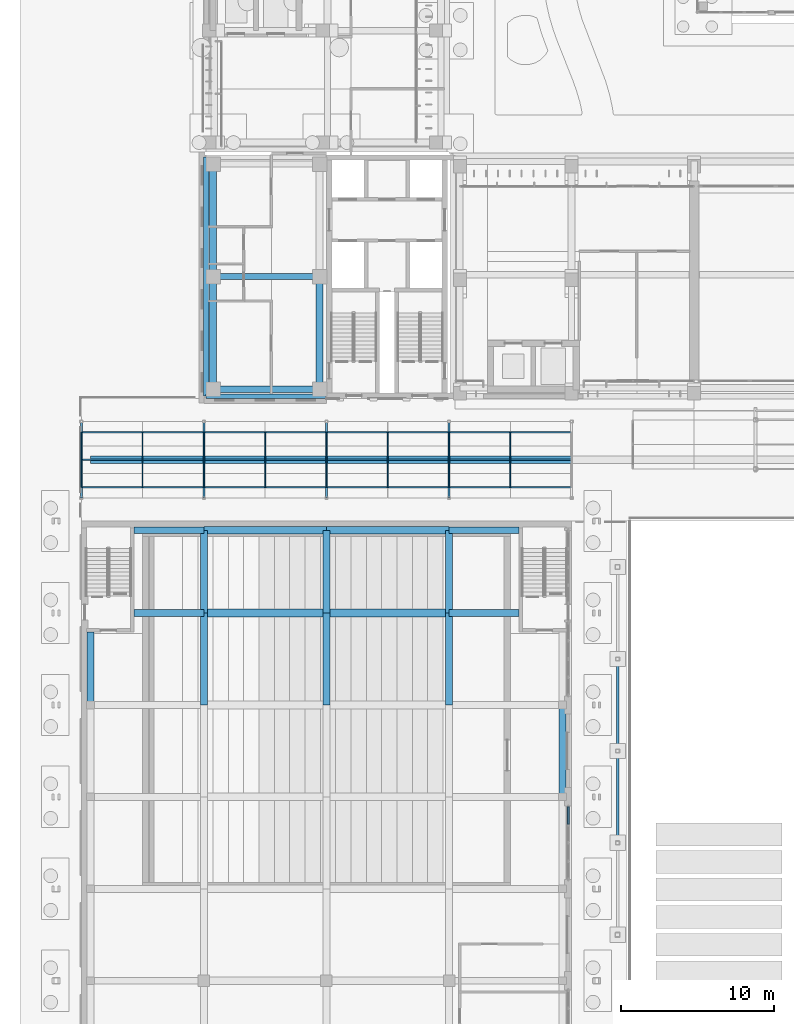
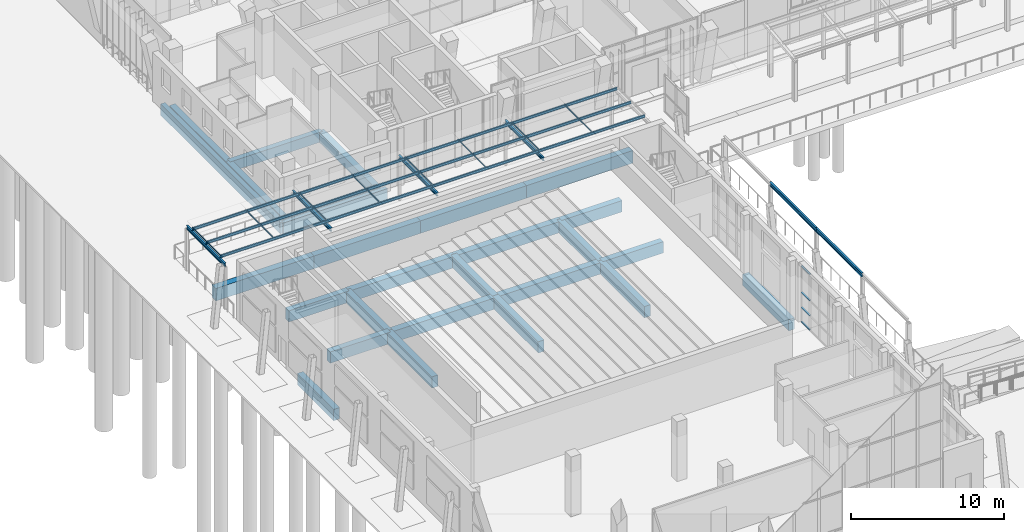
# One storey, part 29 of 144: 33 beams, 32 members, 1 element without a shape of its own.
"""IFC4 building model written with IfcOpenShell, lengths in metres."""

from ifc_helpers import new_model, si_unit, direction, frame, origin, origin_2d, place, context, subcontext, project, spatial, rectangle, i_section, extrude, material, layer, layer_set, material_profile, profile_set, type_object, element, aggregate, save


model = new_model("IFC4")

# Units and contexts
model_context = context("Model", 3, precision=1e-05, world=origin(), true_north=direction((0.0, 1.0)))
body_context = subcontext(model_context, "Body", "Model", "MODEL_VIEW")
ifc_project = project(units=[si_unit("LENGTHUNIT", "METRE"), si_unit("AREAUNIT", "SQUARE_METRE"), si_unit("VOLUMEUNIT", "CUBIC_METRE"), si_unit("PLANEANGLEUNIT", "RADIAN"), si_unit("MASSUNIT", "GRAM", prefix="KILO")], contexts=[model_context])

# Site, building, storey
site_placement = place(None, origin())
site = spatial("IfcSite", under=ifc_project, at=site_placement, CompositionType="ELEMENT")
building_placement = place(site_placement, origin())
building = spatial("IfcBuilding", under=site, at=building_placement, Name="Lantern Court Media Centre", CompositionType="ELEMENT")
storey_placement = place(building_placement, origin())
storey = spatial("IfcBuildingStorey", under=building, at=storey_placement, Name="L00", CompositionType="ELEMENT", Elevation=0.0)

# Beams
ifc_material_1 = material(Name="Steel S355J2 (EN 10025-2)", Category="steel")
ifc_material_profile_1 = material_profile(ifc_material_1, i_section(OverallWidth=0.135009765625, OverallDepth=0.27001953125, WebThickness=0.006591796875, FlangeThickness=0.01025390625, FilletRadius=0.014892578125, at=origin_2d()), Name="IPE 270")
ifc_profile_set_1 = profile_set([ifc_material_profile_1], Name="Steel S355J2 (EN 10025-2)")
beam_type_1 = type_object("IfcBeamType", Name="Cloister canopy portal beam IPE 270", PredefinedType="BEAM", material=ifc_profile_set_1)
for number, where, z_axis, x_axis, name in (
    (1, (0.0, 41.5, 3.465087890625), (0.0, 1.0, 0.0), (-1.0, 0.0, 0.0), "Cloister portal beam 1-1"),
    (2, (8.0, 41.5, 3.465087890625), (0.0, 1.0, 0.0), (-1.0, 0.0, 0.0), "Cloister portal beam 1-2"),
    (3, (16.0, 41.5, 3.465087890625), (0.0, 1.0, 0.0), (-1.0, 0.0, 0.0), "Cloister portal beam 1-3"),
    (4, (24.0, 41.5, 3.465087890625), (0.0, 1.0, 0.0), (-1.0, 0.0, 0.0), "Cloister portal beam 1-4"),
):
    element("IfcBeam", number, at=place(storey_placement, frame(where, z_axis=z_axis, x_axis=x_axis)), inside=storey, type_object=beam_type_1, Name=name, PredefinedType="BEAM", context=body_context, shape_type="SweptSolid", body=[
        extrude(i_section(OverallWidth=0.135009765625, OverallDepth=0.27001953125, WebThickness=0.006591796875, FlangeThickness=0.01025390625, FilletRadius=0.014892578125, at=origin_2d()), origin(), (0.0, 0.0, 1.0), 5.0),
    ])

# Members
ifc_material_profile_2 = material_profile(ifc_material_1, i_section(OverallWidth=0.10009765625, OverallDepth=0.199951171875, WebThickness=0.005615234375, FlangeThickness=0.008544921875, FilletRadius=0.011962890625, at=origin_2d()), Name="IPE 200")
ifc_profile_set_2 = profile_set([ifc_material_profile_2], Name="Steel S355J2 (EN 10025-2)")
member_type_1 = type_object("IfcMemberType", Name="Cloister canopy purlin IPE 200", PredefinedType="PURLIN", material=ifc_profile_set_2)
for number, where, z_axis, x_axis, name in (
    (5, (0.0, 42.199951171875, 3.699951171875), (1.0, 0.0, 0.0), (0.0, 1.0, 0.0), "Cloister purlin 1-1-1"),
    (6, (8.0, 42.199951171875, 3.699951171875), (1.0, 0.0, 0.0), (0.0, 1.0, 0.0), "Cloister purlin 1-1-2"),
    (7, (16.0, 42.199951171875, 3.699951171875), (1.0, 0.0, 0.0), (0.0, 1.0, 0.0), "Cloister purlin 1-1-3"),
    (8, (24.0, 42.199951171875, 3.699951171875), (1.0, 0.0, 0.0), (0.0, 1.0, 0.0), "Cloister purlin 1-1-4"),
    (9, (0.0, 44.0, 3.699951171875), (1.0, 0.0, 0.0), (0.0, 1.0, 0.0), "Cloister purlin 1-2-1"),
    (10, (8.0, 44.0, 3.699951171875), (1.0, 0.0, 0.0), (0.0, 1.0, 0.0), "Cloister purlin 1-2-2"),
    (11, (16.0, 44.0, 3.699951171875), (1.0, 0.0, 0.0), (0.0, 1.0, 0.0), "Cloister purlin 1-2-3"),
    (12, (24.0, 44.0, 3.699951171875), (1.0, 0.0, 0.0), (0.0, 1.0, 0.0), "Cloister purlin 1-2-4"),
    (13, (0.0, 45.800048828125, 3.699951171875), (1.0, 0.0, 0.0), (0.0, 1.0, 0.0), "Cloister purlin 1-3-1"),
    (14, (8.0, 45.800048828125, 3.699951171875), (1.0, 0.0, 0.0), (0.0, 1.0, 0.0), "Cloister purlin 1-3-2"),
    (15, (16.0, 45.800048828125, 3.699951171875), (1.0, 0.0, 0.0), (0.0, 1.0, 0.0), "Cloister purlin 1-3-3"),
    (16, (24.0, 45.800048828125, 3.699951171875), (1.0, 0.0, 0.0), (0.0, 1.0, 0.0), "Cloister purlin 1-3-4"),
):
    element("IfcMember", number, at=place(storey_placement, frame(where, z_axis=z_axis, x_axis=x_axis)), inside=storey, type_object=member_type_1, Name=name, PredefinedType="PURLIN", context=body_context, shape_type="SweptSolid", body=[
        extrude(i_section(OverallWidth=0.10009765625, OverallDepth=0.199951171875, WebThickness=0.005615234375, FlangeThickness=0.008544921875, FilletRadius=0.011962890625, at=origin_2d()), origin(), (0.0, 0.0, 1.0), 8.0),
    ])
ifc_material_profile_3 = material_profile(ifc_material_1, i_section(OverallWidth=0.0458984375, OverallDepth=0.080078125, WebThickness=0.00390625, FlangeThickness=0.005126953125, FilletRadius=0.0048828125, at=origin_2d()), Name="IPE 80")
ifc_profile_set_3 = profile_set([ifc_material_profile_3], Name="Steel S355J2 (EN 10025-2)")
member_type_2 = type_object("IfcMemberType", Name="Cloister sheeting rail IPE 80", PredefinedType="STRUT", material=ifc_profile_set_3)
for number, where, z_axis, x_axis, name in (
    (17, (0.0, 42.199951171875, 3.840087890625), (0.0, 1.0, 0.0), (-1.0, 0.0, 0.0), "Cloister sheeting rail 1-1-1"),
    (18, (0.0, 44.0, 3.840087890625), (0.0, 1.0, 0.0), (-1.0, 0.0, 0.0), "Cloister sheeting rail 1-1-2"),
    (19, (4.0, 42.199951171875, 3.840087890625), (0.0, 1.0, 0.0), (-1.0, 0.0, 0.0), "Cloister sheeting rail 1-2-1"),
    (20, (4.0, 44.0, 3.840087890625), (0.0, 1.0, 0.0), (-1.0, 0.0, 0.0), "Cloister sheeting rail 1-2-2"),
    (21, (8.0, 42.199951171875, 3.840087890625), (0.0, 1.0, 0.0), (-1.0, 0.0, 0.0), "Cloister sheeting rail 1-3-1"),
    (22, (8.0, 44.0, 3.840087890625), (0.0, 1.0, 0.0), (-1.0, 0.0, 0.0), "Cloister sheeting rail 1-3-2"),
    (23, (12.0, 42.199951171875, 3.840087890625), (0.0, 1.0, 0.0), (-1.0, 0.0, 0.0), "Cloister sheeting rail 1-4-1"),
    (24, (12.0, 44.0, 3.840087890625), (0.0, 1.0, 0.0), (-1.0, 0.0, 0.0), "Cloister sheeting rail 1-4-2"),
    (25, (16.0, 42.199951171875, 3.840087890625), (0.0, 1.0, 0.0), (-1.0, 0.0, 0.0), "Cloister sheeting rail 1-5-1"),
    (26, (16.0, 44.0, 3.840087890625), (0.0, 1.0, 0.0), (-1.0, 0.0, 0.0), "Cloister sheeting rail 1-5-2"),
    (27, (20.0, 42.199951171875, 3.840087890625), (0.0, 1.0, 0.0), (-1.0, 0.0, 0.0), "Cloister sheeting rail 1-6-1"),
    (28, (20.0, 44.0, 3.840087890625), (0.0, 1.0, 0.0), (-1.0, 0.0, 0.0), "Cloister sheeting rail 1-6-2"),
    (29, (24.0, 42.199951171875, 3.840087890625), (0.0, 1.0, 0.0), (-1.0, 0.0, 0.0), "Cloister sheeting rail 1-7-1"),
    (30, (24.0, 44.0, 3.840087890625), (0.0, 1.0, 0.0), (-1.0, 0.0, 0.0), "Cloister sheeting rail 1-7-2"),
    (31, (28.0, 42.199951171875, 3.840087890625), (0.0, 1.0, 0.0), (-1.0, 0.0, 0.0), "Cloister sheeting rail 1-8-1"),
    (32, (28.0, 44.0, 3.840087890625), (0.0, 1.0, 0.0), (-1.0, 0.0, 0.0), "Cloister sheeting rail 1-8-2"),
):
    element("IfcMember", number, at=place(storey_placement, frame(where, z_axis=z_axis, x_axis=x_axis)), inside=storey, type_object=member_type_2, Name=name, PredefinedType="STRUT", context=body_context, shape_type="SweptSolid", body=[
        extrude(i_section(OverallWidth=0.0458984375, OverallDepth=0.080078125, WebThickness=0.00390625, FlangeThickness=0.005126953125, FilletRadius=0.0048828125, at=origin_2d()), origin(), (0.0, 0.0, 1.0), 1.800048828125),
    ])

# Beams
ifc_material_profile_4 = material_profile(ifc_material_1, i_section(OverallWidth=0.14990234375, OverallDepth=0.300048828125, WebThickness=0.007080078125, FlangeThickness=0.0107421875, FilletRadius=0.014892578125, at=origin_2d()), Name="IPE 300")
ifc_profile_set_4 = profile_set([ifc_material_profile_4], Name="Steel S355J2 (EN 10025-2)")
beam_type_2 = type_object("IfcBeamType", Name="Forecourt colonnade beam IPE 300", PredefinedType="BEAM", material=ifc_profile_set_4)
for number, where, z_axis, x_axis, name in (
    (33, (35.0, 19.0, 4.050048828125), (0.0, 1.0, 0.0), (-1.0, 0.0, 0.0), "Forecourt colonnade beam V1 2"),
    (34, (35.0, 25.0, 4.050048828125), (0.0, 1.0, 0.0), (-1.0, 0.0, 0.0), "Forecourt colonnade beam V1 3"),
):
    element("IfcBeam", number, at=place(storey_placement, frame(where, z_axis=z_axis, x_axis=x_axis)), inside=storey, type_object=beam_type_2, Name=name, PredefinedType="BEAM", context=body_context, shape_type="SweptSolid", body=[
        extrude(i_section(OverallWidth=0.14990234375, OverallDepth=0.300048828125, WebThickness=0.007080078125, FlangeThickness=0.0107421875, FilletRadius=0.014892578125, at=origin_2d()), origin(), (0.0, 0.0, 1.0), 6.0),
    ])

# Curtain wall, members
ifc_material_2 = material(Name="Aluminium and glass", Category="aluminium")
ifc_layer = layer(ifc_material_2, 0.14990234375)
ifc_layer_set = layer_set([ifc_layer], Name="Aluminium and glass")
curtain_wall_type = type_object("IfcCurtainWallType", Name="Hall lancet glazing", PredefinedType="NOTDEFINED", material=ifc_layer_set)
curtain_wall_placement = place(storey_placement, origin())
curtain_wall = element("IfcCurtainWall", 35, at=curtain_wall_placement, inside=storey, type_object=curtain_wall_type, Name="Cinema Hall foyer glazing 4", PredefinedType="NOTDEFINED")
ifc_material_3 = material(Name="Aluminium, anodised", Category="aluminium")
ifc_material_profile_5 = material_profile(ifc_material_3, rectangle(XDim=0.1201171875, YDim=0.06005859375, at=origin_2d()), Name="HT")
ifc_profile_set_5 = profile_set([ifc_material_profile_5], Name="Aluminium, anodised")
member_type_3 = type_object("IfcMemberType", Name="HT", PredefinedType="USERDEFINED", material=ifc_profile_set_5)
member_1_placement = place(storey_placement, frame((31.77490234375, 20.22998046875, 0.06005859375), z_axis=(0.0, 1.0, 0.0), x_axis=(-1.0, 0.0, 0.0)))
member_1 = element("IfcMember", 36, at=member_1_placement, type_object=member_type_3, Name="HCW-V14 transom 4.1", ObjectType="TRANSOM", PredefinedType="USERDEFINED", context=body_context, shape_type="SweptSolid", body=[
    extrude(rectangle(XDim=0.1201171875, YDim=0.06005859375, at=origin_2d()), origin(), (0.0, 0.0, 1.0), 1.110107421875),
])
member_2_placement = place(storey_placement, frame((31.77490234375, 20.22998046875, 1.199951171875), z_axis=(0.0, 1.0, 0.0), x_axis=(-1.0, 0.0, 0.0)))
member_2 = element("IfcMember", 37, at=member_2_placement, type_object=member_type_3, Name="HCW-V14 transom 4.2", ObjectType="TRANSOM", PredefinedType="USERDEFINED", context=body_context, shape_type="SweptSolid", body=[
    extrude(rectangle(XDim=0.1201171875, YDim=0.06005859375, at=origin_2d()), origin(), (0.0, 0.0, 1.0), 1.110107421875),
])
member_3_placement = place(storey_placement, frame((31.77490234375, 20.22998046875, 2.39990234375), z_axis=(0.0, 1.0, 0.0), x_axis=(-1.0, 0.0, 0.0)))
member_3 = element("IfcMember", 38, at=member_3_placement, type_object=member_type_3, Name="HCW-V14 transom 4.3", ObjectType="TRANSOM", PredefinedType="USERDEFINED", context=body_context, shape_type="SweptSolid", body=[
    extrude(rectangle(XDim=0.1201171875, YDim=0.06005859375, at=origin_2d()), origin(), (0.0, 0.0, 1.0), 1.110107421875),
])
member_4_placement = place(storey_placement, frame((31.77490234375, 20.22998046875, 4.489990234375), z_axis=(0.0, 1.0, 0.0), x_axis=(-1.0, 0.0, 0.0)))
member_4 = element("IfcMember", 39, at=member_4_placement, type_object=member_type_3, Name="HCW-V14 transom 4.4", ObjectType="TRANSOM", PredefinedType="USERDEFINED", context=body_context, shape_type="SweptSolid", body=[
    extrude(rectangle(XDim=0.1201171875, YDim=0.06005859375, at=origin_2d()), origin(), (0.0, 0.0, 1.0), 1.110107421875),
])
aggregate(curtain_wall, [member_1, member_2, member_3, member_4])

# Beams
ifc_material_4 = material(Name="Concrete C35", Category="concrete")
ifc_material_profile_6 = material_profile(ifc_material_4, rectangle(XDim=0.300048828125, YDim=0.89990234375, at=origin_2d()), Name="RC 300x900")
ifc_profile_set_6 = profile_set([ifc_material_profile_6], Name="Concrete C35")
beam_type_3 = type_object("IfcBeamType", Name="RC BEAM 300x900", PredefinedType="BEAM", material=ifc_profile_set_6)
beam_1_placement = place(storey_placement, frame((8.14990234375, 48.14990234375, -0.449951171875), z_axis=(1.0, 0.0, 0.0), x_axis=(0.0, 1.0, 0.0)))
element("IfcBeam", 40, at=beam_1_placement, inside=storey, type_object=beam_type_3, Name="EB-SW-L00-S", PredefinedType="BEAM", context=body_context, shape_type="SweptSolid", body=[
    extrude(rectangle(XDim=0.300048828125, YDim=0.89990234375, at=origin_2d()), origin(), (0.0, 0.0, 1.0), 7.830078125),
])
ifc_material_profile_7 = material_profile(ifc_material_4, rectangle(XDim=0.35009765625, YDim=0.89990234375, at=origin_2d()), Name="RC 350x900")
ifc_profile_set_7 = profile_set([ifc_material_profile_7], Name="Concrete C35")
beam_type_4 = type_object("IfcBeamType", Name="RC BEAM 350x900", PredefinedType="BEAM", material=ifc_profile_set_7)
beam_2_placement = place(storey_placement, frame((8.14990234375, 48.14990234375, -0.449951171875), z_axis=(0.0, 1.0, 0.0), x_axis=(-1.0, 0.0, 0.0)))
element("IfcBeam", 41, at=beam_2_placement, inside=storey, type_object=beam_type_4, Name="EB-SW-L00-W", PredefinedType="BEAM", context=body_context, shape_type="SweptSolid", body=[
    extrude(rectangle(XDim=0.35009765625, YDim=0.89990234375, at=origin_2d()), origin(), (0.0, 0.0, 1.0), 15.60009765625),
])
ifc_material_profile_8 = material_profile(ifc_material_4, rectangle(XDim=0.39990234375, YDim=0.800048828125, at=origin_2d()), Name="RC 400x800")
ifc_profile_set_8 = profile_set([ifc_material_profile_8], Name="Concrete C35")
beam_type_5 = type_object("IfcBeamType", Name="RC BEAM 400x800", PredefinedType="BEAM", material=ifc_profile_set_8)
for number, where, z_axis, x_axis, name in (
    (42, (8.60009765625, 48.60009765625, -0.39990234375), (1.0, 0.0, 0.0), (0.0, 1.0, 0.0), "BB-SW-L00-Y0-48"),
    (43, (8.60009765625, 55.949951171875, -0.39990234375), (1.0, 0.0, 0.0), (0.0, 1.0, 0.0), "BB-SW-L00-Y0-55"),
):
    element("IfcBeam", number, at=place(storey_placement, frame(where, z_axis=z_axis, x_axis=x_axis)), inside=storey, type_object=beam_type_5, Name=name, PredefinedType="BEAM", context=body_context, shape_type="SweptSolid", body=[
        extrude(rectangle(XDim=0.39990234375, YDim=0.800048828125, at=origin_2d()), origin(), (0.0, 0.0, 1.0), 6.949951171875),
    ])
ifc_material_profile_9 = material_profile(ifc_material_4, rectangle(XDim=0.449951171875, YDim=0.800048828125, at=origin_2d()), Name="RC 450x800")
ifc_profile_set_9 = profile_set([ifc_material_profile_9], Name="Concrete C35")
beam_type_6 = type_object("IfcBeamType", Name="RC BEAM 450x800", PredefinedType="BEAM", material=ifc_profile_set_9)
beam_3_placement = place(storey_placement, frame((8.60009765625, 48.60009765625, -0.39990234375), z_axis=(0.0, 1.0, 0.0), x_axis=(-1.0, 0.0, 0.0)))
element("IfcBeam", 44, at=beam_3_placement, inside=storey, type_object=beam_type_6, Name="BB-SW-L00-X0-8", PredefinedType="BEAM", context=body_context, shape_type="SweptSolid", body=[
    extrude(rectangle(XDim=0.449951171875, YDim=0.800048828125, at=origin_2d()), origin(), (0.0, 0.0, 1.0), 7.349853515625),
])
beam_4_placement = place(storey_placement, frame((8.60009765625, 55.949951171875, -0.39990234375), z_axis=(0.0, 1.0, 0.0), x_axis=(-1.0, 0.0, 0.0)))
element("IfcBeam", 45, at=beam_4_placement, inside=storey, type_object=beam_type_6, Name="BB-SW-L00-X1-8", PredefinedType="BEAM", context=body_context, shape_type="SweptSolid", body=[
    extrude(rectangle(XDim=0.449951171875, YDim=0.800048828125, at=origin_2d()), origin(), (0.0, 0.0, 1.0), 7.35009765625),
])
beam_5_placement = place(storey_placement, frame((15.550048828125, 48.60009765625, -0.39990234375), z_axis=(0.0, 1.0, 0.0), x_axis=(-1.0, 0.0, 0.0)))
element("IfcBeam", 46, at=beam_5_placement, inside=storey, type_object=beam_type_6, Name="BB-SW-L00-X0-15", PredefinedType="BEAM", context=body_context, shape_type="SweptSolid", body=[
    extrude(rectangle(XDim=0.449951171875, YDim=0.800048828125, at=origin_2d()), origin(), (0.0, 0.0, 1.0), 7.349853515625),
])
ifc_material_profile_10 = material_profile(ifc_material_4, rectangle(XDim=0.449951171875, YDim=0.89990234375, at=origin_2d()), Name="RC 450x900")
ifc_profile_set_10 = profile_set([ifc_material_profile_10], Name="Concrete C35")
beam_type_7 = type_object("IfcBeamType", Name="RC BEAM 450x900", PredefinedType="BEAM", material=ifc_profile_set_10)
for number, where, z_axis, x_axis, name in (
    (47, (3.449951171875, 34.0, -0.449951171875), (1.0, 0.0, 0.0), (0.0, 1.0, 0.0), "HB-V1-L00-PX6-0"),
    (48, (24.0, 34.0, -0.449951171875), (1.0, 0.0, 0.0), (0.0, 1.0, 0.0), "HB-V1-L00-PX6-3"),
    (49, (3.449951171875, 39.39990234375, -0.449951171875), (1.0, 0.0, 0.0), (0.0, 1.0, 0.0), "HB-V1-L00-PX7-0"),
    (50, (24.0, 39.39990234375, -0.449951171875), (1.0, 0.0, 0.0), (0.0, 1.0, 0.0), "HB-V1-L00-PX7-3"),
):
    element("IfcBeam", number, at=place(storey_placement, frame(where, z_axis=z_axis, x_axis=x_axis)), inside=storey, type_object=beam_type_7, Name=name, PredefinedType="BEAM", context=body_context, shape_type="SweptSolid", body=[
        extrude(rectangle(XDim=0.449951171875, YDim=0.89990234375, at=origin_2d()), origin(), (0.0, 0.0, 1.0), 4.550048828125),
    ])
beam_6_placement = place(storey_placement, frame((0.60009765625, 28.0, -0.449951171875), z_axis=(0.0, 1.0, 0.0), x_axis=(-1.0, 0.0, 0.0)))
element("IfcBeam", 51, at=beam_6_placement, inside=storey, type_object=beam_type_7, Name="HB-V1-L00-PY0-5", PredefinedType="BEAM", context=body_context, shape_type="SweptSolid", body=[
    extrude(rectangle(XDim=0.449951171875, YDim=0.89990234375, at=origin_2d()), origin(), (0.0, 0.0, 1.0), 4.75),
])
beam_7_placement = place(storey_placement, frame((8.0, 28.0, -0.449951171875), z_axis=(0.0, 1.0, 0.0), x_axis=(-1.0, 0.0, 0.0)))
element("IfcBeam", 52, at=beam_7_placement, inside=storey, type_object=beam_type_7, Name="HB-V1-L00-PY1-5", PredefinedType="BEAM", context=body_context, shape_type="SweptSolid", body=[
    extrude(rectangle(XDim=0.449951171875, YDim=0.89990234375, at=origin_2d()), origin(), (0.0, 0.0, 1.0), 6.0),
])
beam_8_placement = place(storey_placement, frame((8.0, 34.0, -0.449951171875), z_axis=(0.0, 1.0, 0.0), x_axis=(-1.0, 0.0, 0.0)))
element("IfcBeam", 53, at=beam_8_placement, inside=storey, type_object=beam_type_7, Name="HB-V1-L00-PY1-6", PredefinedType="BEAM", context=body_context, shape_type="SweptSolid", body=[
    extrude(rectangle(XDim=0.449951171875, YDim=0.89990234375, at=origin_2d()), origin(), (0.0, 0.0, 1.0), 5.39990234375),
])
beam_9_placement = place(storey_placement, frame((16.0, 28.0, -0.449951171875), z_axis=(0.0, 1.0, 0.0), x_axis=(-1.0, 0.0, 0.0)))
element("IfcBeam", 54, at=beam_9_placement, inside=storey, type_object=beam_type_7, Name="HB-V1-L00-PY2-5", PredefinedType="BEAM", context=body_context, shape_type="SweptSolid", body=[
    extrude(rectangle(XDim=0.449951171875, YDim=0.89990234375, at=origin_2d()), origin(), (0.0, 0.0, 1.0), 6.0),
])
beam_10_placement = place(storey_placement, frame((16.0, 34.0, -0.449951171875), z_axis=(0.0, 1.0, 0.0), x_axis=(-1.0, 0.0, 0.0)))
element("IfcBeam", 55, at=beam_10_placement, inside=storey, type_object=beam_type_7, Name="HB-V1-L00-PY2-6", PredefinedType="BEAM", context=body_context, shape_type="SweptSolid", body=[
    extrude(rectangle(XDim=0.449951171875, YDim=0.89990234375, at=origin_2d()), origin(), (0.0, 0.0, 1.0), 5.39990234375),
])
beam_11_placement = place(storey_placement, frame((24.0, 28.0, -0.449951171875), z_axis=(0.0, 1.0, 0.0), x_axis=(-1.0, 0.0, 0.0)))
element("IfcBeam", 56, at=beam_11_placement, inside=storey, type_object=beam_type_7, Name="HB-V1-L00-PY3-5", PredefinedType="BEAM", context=body_context, shape_type="SweptSolid", body=[
    extrude(rectangle(XDim=0.449951171875, YDim=0.89990234375, at=origin_2d()), origin(), (0.0, 0.0, 1.0), 6.0),
])
beam_12_placement = place(storey_placement, frame((24.0, 34.0, -0.449951171875), z_axis=(0.0, 1.0, 0.0), x_axis=(-1.0, 0.0, 0.0)))
element("IfcBeam", 57, at=beam_12_placement, inside=storey, type_object=beam_type_7, Name="HB-V1-L00-PY3-6", PredefinedType="BEAM", context=body_context, shape_type="SweptSolid", body=[
    extrude(rectangle(XDim=0.449951171875, YDim=0.89990234375, at=origin_2d()), origin(), (0.0, 0.0, 1.0), 5.39990234375),
])
beam_13_placement = place(storey_placement, frame((31.39990234375, 22.0, -0.449951171875), z_axis=(0.0, 1.0, 0.0), x_axis=(-1.0, 0.0, 0.0)))
element("IfcBeam", 58, at=beam_13_placement, inside=storey, type_object=beam_type_7, Name="HB-V1-L00-PY4-4", PredefinedType="BEAM", context=body_context, shape_type="SweptSolid", body=[
    extrude(rectangle(XDim=0.449951171875, YDim=0.89990234375, at=origin_2d()), origin(), (0.0, 0.0, 1.0), 6.0),
])
ifc_material_profile_11 = material_profile(ifc_material_4, rectangle(XDim=0.5, YDim=1.0, at=origin_2d()), Name="RC 500x1000")
ifc_profile_set_11 = profile_set([ifc_material_profile_11], Name="Concrete C35")
beam_type_8 = type_object("IfcBeamType", Name="RC BEAM 500x1000", PredefinedType="BEAM", material=ifc_profile_set_11)
beam_14_placement = place(storey_placement, frame((0.60009765625, 44.0, -0.5), z_axis=(1.0, 0.0, 0.0), x_axis=(0.0, 1.0, 0.0)))
element("IfcBeam", 59, at=beam_14_placement, inside=storey, type_object=beam_type_8, Name="GB-GAL-0", PredefinedType="BEAM", context=body_context, shape_type="SweptSolid", body=[
    extrude(rectangle(XDim=0.5, YDim=1.0, at=origin_2d()), origin(), (0.0, 0.0, 1.0), 7.39990234375),
])
for number, where, z_axis, x_axis, name in (
    (60, (8.0, 44.0, -0.5), (1.0, 0.0, 0.0), (0.0, 1.0, 0.0), "GB-GAL-1"),
    (61, (16.0, 44.0, -0.5), (1.0, 0.0, 0.0), (0.0, 1.0, 0.0), "GB-GAL-2"),
    (62, (24.0, 44.0, -0.5), (1.0, 0.0, 0.0), (0.0, 1.0, 0.0), "GB-GAL-3"),
):
    element("IfcBeam", number, at=place(storey_placement, frame(where, z_axis=z_axis, x_axis=x_axis)), inside=storey, type_object=beam_type_8, Name=name, PredefinedType="BEAM", context=body_context, shape_type="SweptSolid", body=[
        extrude(rectangle(XDim=0.5, YDim=1.0, at=origin_2d()), origin(), (0.0, 0.0, 1.0), 8.0),
    ])
ifc_material_profile_12 = material_profile(ifc_material_4, rectangle(XDim=0.5, YDim=0.89990234375, at=origin_2d()), Name="RC 500x900")
ifc_profile_set_12 = profile_set([ifc_material_profile_12], Name="Concrete C35")
beam_type_9 = type_object("IfcBeamType", Name="RC BEAM 500x900", PredefinedType="BEAM", material=ifc_profile_set_12)
for number, where, z_axis, x_axis, name in (
    (63, (8.0, 34.0, -0.449951171875), (1.0, 0.0, 0.0), (0.0, 1.0, 0.0), "HB-V1-L00-PX6-1"),
    (64, (16.0, 34.0, -0.449951171875), (1.0, 0.0, 0.0), (0.0, 1.0, 0.0), "HB-V1-L00-PX6-2"),
    (65, (8.0, 39.39990234375, -0.449951171875), (1.0, 0.0, 0.0), (0.0, 1.0, 0.0), "HB-V1-L00-PX7-1"),
    (66, (16.0, 39.39990234375, -0.449951171875), (1.0, 0.0, 0.0), (0.0, 1.0, 0.0), "HB-V1-L00-PX7-2"),
):
    element("IfcBeam", number, at=place(storey_placement, frame(where, z_axis=z_axis, x_axis=x_axis)), inside=storey, type_object=beam_type_9, Name=name, PredefinedType="BEAM", context=body_context, shape_type="SweptSolid", body=[
        extrude(rectangle(XDim=0.5, YDim=0.89990234375, at=origin_2d()), origin(), (0.0, 0.0, 1.0), 8.0),
    ])

save(model, "model.ifc")
